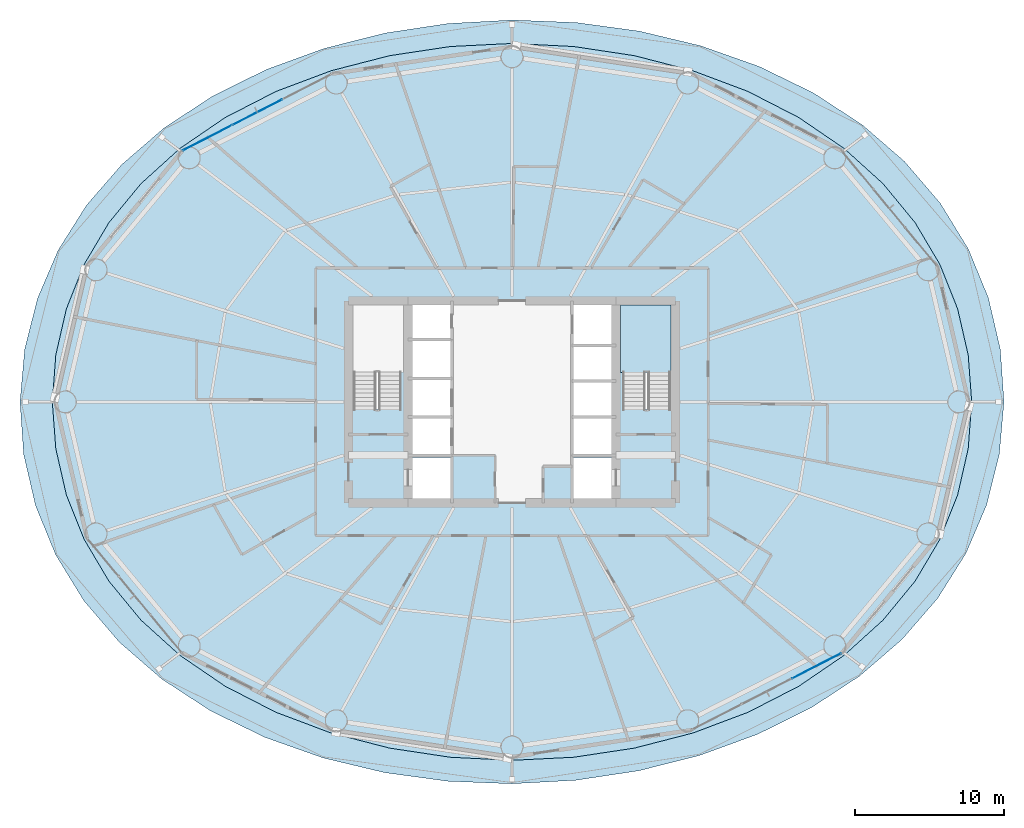
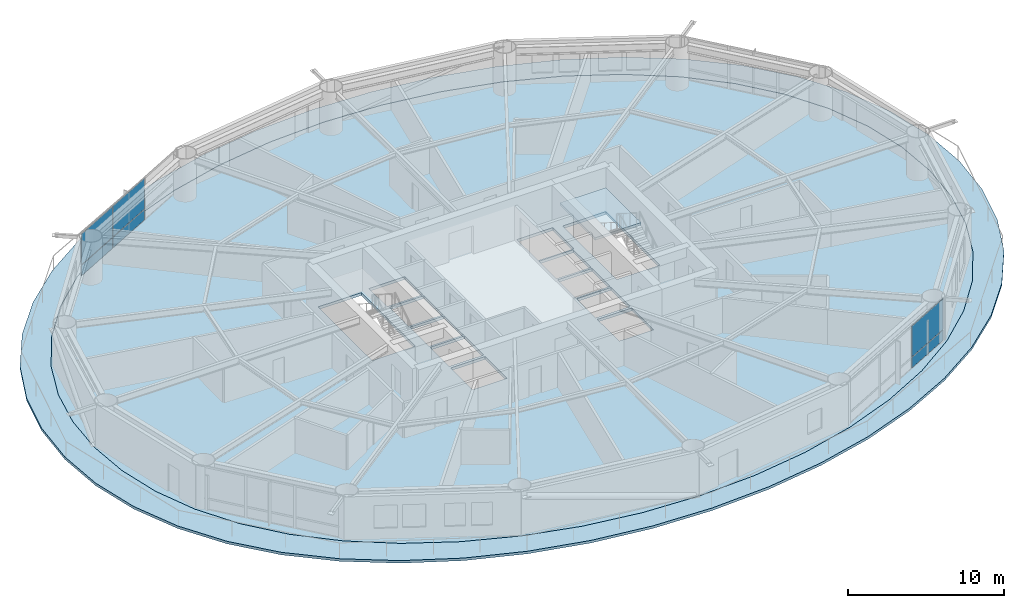
# One storey, part 17 of 26: 6 plates, 3 slabs, 3 elements without a shape of their own.
"""IFC4 building model written with IfcOpenShell, lengths in metres."""

from ifc_helpers import new_model, si_unit, direction, frame, origin, origin_2d, place, context, subcontext, project, spatial, polyline, rectangle, outline, extrude, material, layer, layer_set, type_object, element, aggregate, save


model = new_model("IFC4")

# Units and contexts
model_context = context("Model", 3, precision=1e-05, world=origin(), true_north=direction((0.0, 1.0)))
body_context = subcontext(model_context, "Body", "Model", "MODEL_VIEW")
ifc_project = project(units=[si_unit("LENGTHUNIT", "METRE"), si_unit("AREAUNIT", "SQUARE_METRE"), si_unit("VOLUMEUNIT", "CUBIC_METRE"), si_unit("PLANEANGLEUNIT", "RADIAN"), si_unit("MASSUNIT", "GRAM", prefix="KILO")], contexts=[model_context])

# Site, building, storey
site_placement = place(None, origin())
site = spatial("IfcSite", under=ifc_project, at=site_placement, CompositionType="ELEMENT")
building_placement = place(site_placement, origin())
building = spatial("IfcBuilding", under=site, at=building_placement, Name="Sarneth Arch Tower", CompositionType="ELEMENT")
storey_placement = place(building_placement, frame((0.0, 0.0, 71.39990234375)))
storey = spatial("IfcBuildingStorey", under=building, at=storey_placement, Name="L17", CompositionType="ELEMENT", Elevation=71.39990234375)

# Curtain wall, plates
ifc_material_1 = material(Name="Anodised aluminium Type AA25 and solar-control low-e laminated IGU", Category="aluminium")
ifc_layer_1 = layer(ifc_material_1, 0.159912109375)
ifc_layer_set_1 = layer_set([ifc_layer_1], Name="Anodised aluminium Type AA25 and solar-control low-e laminated IGU")
curtain_wall_type = type_object("IfcCurtainWallType", Name="CW-HOTEL-LOW", PredefinedType="NOTDEFINED", material=ifc_layer_set_1)
curtain_wall_1_placement = place(storey_placement, origin())
curtain_wall_1 = element("IfcCurtainWall", 1, at=curtain_wall_1_placement, inside=storey, type_object=curtain_wall_type, Name="L17 Unitised curtain wall facet 06", PredefinedType="NOTDEFINED")
ifc_material_2 = material(Name="Solar-control low-e laminated IGU", Category="glass")
ifc_layer_2 = layer(ifc_material_2, 0.028076171875)
ifc_layer_set_2 = layer_set([ifc_layer_2], Name="Solar-control low-e laminated IGU")
plate_type = type_object("IfcPlateType", Name="CW-PANEL", PredefinedType="CURTAIN_PANEL", material=ifc_layer_set_2)
plate_1_placement = place(storey_placement, frame((30.8740234375, 61.473876953125, 0.06005859375), z_axis=(0.0, 0.0, 1.0), x_axis=(-0.889854100456, -0.456245197127, 0.0)))
plate_1 = element("IfcPlate", 2, at=plate_1_placement, type_object=plate_type, Name="Curtain wall glazed vision pane CW-L17-F06/P01-00", PredefinedType="CURTAIN_PANEL", context=body_context, shape_type="SweptSolid", body=[
    extrude(rectangle(XDim=3.721923828125, YDim=0.028076171875, at=origin_2d()), origin(), (0.0, 0.0, 1.0), 0.81005859375),
])
plate_2_placement = place(storey_placement, frame((30.8740234375, 61.473876953125, 0.93017578125), z_axis=(0.0, 0.0, 1.0), x_axis=(-0.889854100456, -0.456245197127, 0.0)))
plate_2 = element("IfcPlate", 3, at=plate_2_placement, type_object=plate_type, Name="Curtain wall glazed vision pane CW-L17-F06/P01-01", PredefinedType="CURTAIN_PANEL", context=body_context, shape_type="SweptSolid", body=[
    extrude(rectangle(XDim=3.721923828125, YDim=0.028076171875, at=origin_2d()), origin(), (0.0, 0.0, 1.0), 2.389892578125),
])
plate_3_placement = place(storey_placement, frame((27.52197265625, 59.75537109375, 0.06005859375), z_axis=(0.0, 0.0, 1.0), x_axis=(-0.889854100456, -0.456245197127, 0.0)))
plate_3 = element("IfcPlate", 4, at=plate_3_placement, type_object=plate_type, Name="Curtain wall glazed vision pane CW-L17-F06/P02-00", PredefinedType="CURTAIN_PANEL", context=body_context, shape_type="SweptSolid", body=[
    extrude(rectangle(XDim=3.69189453125, YDim=0.028076171875, at=origin_2d()), origin(), (0.0, 0.0, 1.0), 0.81005859375),
])
plate_4_placement = place(storey_placement, frame((27.52197265625, 59.75537109375, 0.93017578125), z_axis=(0.0, 0.0, 1.0), x_axis=(-0.889854100456, -0.456245197127, 0.0)))
plate_4 = element("IfcPlate", 5, at=plate_4_placement, type_object=plate_type, Name="Curtain wall glazed vision pane CW-L17-F06/P02-01", PredefinedType="CURTAIN_PANEL", context=body_context, shape_type="SweptSolid", body=[
    extrude(rectangle(XDim=3.69189453125, YDim=0.028076171875, at=origin_2d()), origin(), (0.0, 0.0, 1.0), 2.389892578125),
])
aggregate(curtain_wall_1, [plate_1, plate_2, plate_3, plate_4])

curtain_wall_2_placement = place(storey_placement, origin())
curtain_wall_2 = element("IfcCurtainWall", 6, at=curtain_wall_2_placement, inside=storey, type_object=curtain_wall_type, Name="L17 Unitised curtain wall facet 14", PredefinedType="NOTDEFINED")
plate_5_placement = place(storey_placement, frame((68.47802734375, 24.24462890625, 0.06005859375), z_axis=(0.0, 0.0, 1.0), x_axis=(0.889854100456, 0.456245197127, 0.0)))
plate_5 = element("IfcPlate", 7, at=plate_5_placement, type_object=plate_type, Name="Curtain wall glazed vision pane CW-L17-F14/P02-00", PredefinedType="CURTAIN_PANEL", context=body_context, shape_type="SweptSolid", body=[
    extrude(rectangle(XDim=3.69189453125, YDim=0.028076171875, at=origin_2d()), origin(), (0.0, 0.0, 1.0), 0.81005859375),
])
plate_6_placement = place(storey_placement, frame((68.47802734375, 24.24462890625, 0.93017578125), z_axis=(0.0, 0.0, 1.0), x_axis=(0.889854100456, 0.456245197127, 0.0)))
plate_6 = element("IfcPlate", 8, at=plate_6_placement, type_object=plate_type, Name="Curtain wall glazed vision pane CW-L17-F14/P02-01", PredefinedType="CURTAIN_PANEL", context=body_context, shape_type="SweptSolid", body=[
    extrude(rectangle(XDim=3.69189453125, YDim=0.028076171875, at=origin_2d()), origin(), (0.0, 0.0, 1.0), 2.389892578125),
])
aggregate(curtain_wall_2, [plate_5, plate_6])

# Slab
ifc_material_3 = material(Name="Concrete C50/60", Category="concrete")
ifc_layer_3 = layer(ifc_material_3, 0.199951171875)
ifc_layer_set_3 = layer_set([ifc_layer_3], Name="Concrete C50/60")
slab_type_1 = type_object("IfcSlabType", Name="SLAB-BALC-200", PredefinedType="FLOOR", material=ifc_layer_set_3)
slab_1_placement = place(storey_placement, frame((0.0, 0.0, -0.199951171875)))
element("IfcSlab", 9, at=slab_1_placement, inside=storey, type_object=slab_type_1, Name="L17 Helical balcony band slab", PredefinedType="FLOOR", context=body_context, shape_type="SweptSolid", body=[
    extrude(outline(polyline([(81.08154296875, 42.0), (80.8369140625, 45.53173828125), (80.034423828125, 48.986572265625), (78.682373046875, 52.2841796875), (76.796630859375, 55.358642578125), (74.40185546875, 58.158935546875), (71.53564453125, 60.64501953125), (68.24951171875, 62.7861328125), (64.609130859375, 64.558349609375), (60.6884765625, 65.943359375), (56.564453125, 66.92919921875), (52.311767578125, 67.50830078125), (48.0, 67.677978515625), (43.695068359375, 67.440185546875), (39.4619140625, 66.799560546875), (35.367431640625, 65.76513671875), (31.482666015625, 64.348388671875), (27.87841796875, 62.565185546875), (24.62353515625, 60.433837890625), (21.776611328125, 57.97607421875), (19.384521484375, 55.218505859375), (17.48095703125, 52.19287109375), (16.08984375, 48.94140625), (15.23046875, 45.51953125), (14.91845703125, 42.0), (15.1630859375, 38.46826171875), (15.965576171875, 35.013427734375), (17.317626953125, 31.7158203125), (19.203369140625, 28.641357421875), (21.59814453125, 25.841064453125), (24.46435546875, 23.35498046875), (27.75048828125, 21.2138671875), (31.390869140625, 19.441650390625), (35.3115234375, 18.056640625), (39.435546875, 17.07080078125), (43.688232421875, 16.49169921875), (48.0, 16.322021484375), (52.304931640625, 16.559814453125), (56.5380859375, 17.200439453125), (60.632568359375, 18.23486328125), (64.517333984375, 19.651611328125), (68.12158203125, 21.434814453125), (71.37646484375, 23.566162109375), (74.223388671875, 26.02392578125), (76.615478515625, 28.781494140625), (78.51904296875, 31.80712890625), (79.91015625, 35.05859375), (80.76953125, 38.48046875), (81.08154296875, 42.0)]), holes=[polyline([(78.90966796875, 42.0), (78.675048828125, 45.145751953125), (77.9677734375, 48.237548828125), (76.780029296875, 51.22265625), (75.10595703125, 54.050048828125), (72.94873046875, 56.671142578125), (70.32861328125, 59.041259765625), (67.2841796875, 61.119873046875), (63.8720703125, 62.87109375), (60.162109375, 64.265380859375), (56.2294921875, 65.27880859375), (52.150634765625, 65.893798828125), (48.0, 66.10009765625), (43.849365234375, 65.893798828125), (39.7705078125, 65.27880859375), (35.837890625, 64.265380859375), (32.1279296875, 62.87109375), (28.7158203125, 61.119873046875), (25.67138671875, 59.041259765625), (23.05126953125, 56.671142578125), (20.89404296875, 54.050048828125), (19.219970703125, 51.22265625), (18.0322265625, 48.237548828125), (17.324951171875, 45.145751953125), (17.09033203125, 42.0), (17.324951171875, 38.854248046875), (18.0322265625, 35.762451171875), (19.219970703125, 32.77734375), (20.89404296875, 29.949951171875), (23.05126953125, 27.328857421875), (25.67138671875, 24.958740234375), (28.7158203125, 22.880126953125), (32.1279296875, 21.12890625), (35.837890625, 19.734619140625), (39.7705078125, 18.72119140625), (43.849365234375, 18.106201171875), (48.0, 17.89990234375), (52.150634765625, 18.106201171875), (56.2294921875, 18.72119140625), (60.162109375, 19.734619140625), (63.8720703125, 21.12890625), (67.2841796875, 22.880126953125), (70.32861328125, 24.958740234375), (72.94873046875, 27.328857421875), (75.10595703125, 29.949951171875), (76.780029296875, 32.77734375), (77.9677734375, 35.762451171875), (78.675048828125, 38.854248046875), (78.90966796875, 42.0)])]), origin(), (0.0, 0.0, 1.0), 0.199951171875),
])

# Stair, slab
ifc_material_4 = material(Name="Concrete C50/60", Category="concrete")
stair_type = type_object("IfcStairType", Name="STAIR-CORE-RC", PredefinedType="HALF_TURN_STAIR", material=ifc_material_4)
stair_placement = place(storey_placement, origin())
stair = element("IfcStair", 10, at=stair_placement, inside=storey, type_object=stair_type, Name="L17 Core Exit Stair 2", PredefinedType="HALF_TURN_STAIR")
ifc_material_5 = material(Name="Concrete C50/60", Category="concrete")
ifc_layer_4 = layer(ifc_material_5, 0.199951171875)
ifc_layer_set_4 = layer_set([ifc_layer_4], Name="Concrete C50/60")
slab_type_2 = type_object("IfcSlabType", Name="SLAB-LANDING-200", PredefinedType="LANDING", material=ifc_layer_set_4)
slab_2_placement = place(storey_placement, frame((0.0, 0.0, 1.60009765625)))
slab_2 = element("IfcSlab", 11, at=slab_2_placement, type_object=slab_type_2, Name="ST-2 landing 1", PredefinedType="LANDING", context=body_context, shape_type="SweptSolid", body=[
    extrude(outline(polyline([(55.300048828125, 43.985107421875), (58.699951171875, 43.985107421875), (58.699951171875, 48.5), (55.300048828125, 48.5), (55.300048828125, 43.985107421875)])), origin(), (0.0, 0.0, 1.0), 0.199951171875),
])
aggregate(stair, [slab_2])

# Slab
ifc_material_6 = material(Name="Concrete C50/60", Category="concrete")
ifc_layer_5 = layer(ifc_material_6, 0.219970703125)
ifc_layer_set_5 = layer_set([ifc_layer_5], Name="Concrete C50/60")
slab_type_3 = type_object("IfcSlabType", Name="SLAB-TOWER-220", PredefinedType="FLOOR", material=ifc_layer_set_5)
slab_3_placement = place(storey_placement, frame((0.0, 0.0, -0.219970703125)))
element("IfcSlab", 12, at=slab_3_placement, inside=storey, type_object=slab_type_3, Name="L17 Elliptical floor slab", PredefinedType="FLOOR", context=body_context, shape_type="SweptSolid", body=[
    extrude(outline(polyline([(78.90966796875, 42.0), (78.675048828125, 45.145751953125), (77.9677734375, 48.237548828125), (76.780029296875, 51.22265625), (75.10595703125, 54.050048828125), (72.94873046875, 56.671142578125), (70.32861328125, 59.041259765625), (67.2841796875, 61.119873046875), (63.8720703125, 62.87109375), (60.162109375, 64.265380859375), (56.2294921875, 65.27880859375), (52.150634765625, 65.893798828125), (48.0, 66.10009765625), (43.849365234375, 65.893798828125), (39.7705078125, 65.27880859375), (35.837890625, 64.265380859375), (32.1279296875, 62.87109375), (28.7158203125, 61.119873046875), (25.67138671875, 59.041259765625), (23.05126953125, 56.671142578125), (20.89404296875, 54.050048828125), (19.219970703125, 51.22265625), (18.0322265625, 48.237548828125), (17.324951171875, 45.145751953125), (17.09033203125, 42.0), (17.324951171875, 38.854248046875), (18.0322265625, 35.762451171875), (19.219970703125, 32.77734375), (20.89404296875, 29.949951171875), (23.05126953125, 27.328857421875), (25.67138671875, 24.958740234375), (28.7158203125, 22.880126953125), (32.1279296875, 21.12890625), (35.837890625, 19.734619140625), (39.7705078125, 18.72119140625), (43.849365234375, 18.106201171875), (48.0, 17.89990234375), (52.150634765625, 18.106201171875), (56.2294921875, 18.72119140625), (60.162109375, 19.734619140625), (63.8720703125, 21.12890625), (67.2841796875, 22.880126953125), (70.32861328125, 24.958740234375), (72.94873046875, 27.328857421875), (75.10595703125, 29.949951171875), (76.780029296875, 32.77734375), (77.9677734375, 35.762451171875), (78.675048828125, 38.854248046875), (78.90966796875, 42.0)]), holes=[polyline([(37.35009765625, 41.489990234375), (40.550048828125, 41.489990234375), (40.550048828125, 48.39990234375), (37.35009765625, 48.39990234375), (37.35009765625, 41.489990234375)]), polyline([(55.449951171875, 41.489990234375), (58.64990234375, 41.489990234375), (58.64990234375, 48.39990234375), (55.449951171875, 48.39990234375), (55.449951171875, 41.489990234375)]), polyline([(41.199951171875, 46.25), (43.85009765625, 46.25), (43.85009765625, 48.550048828125), (41.199951171875, 48.550048828125), (41.199951171875, 46.25)]), polyline([(41.300048828125, 35.449951171875), (43.85009765625, 35.449951171875), (43.85009765625, 38.25), (41.300048828125, 38.25), (41.300048828125, 35.449951171875)]), polyline([(52.14990234375, 35.449951171875), (54.699951171875, 35.449951171875), (54.699951171875, 38.25), (52.14990234375, 38.25), (52.14990234375, 35.449951171875)]), polyline([(52.14990234375, 45.85009765625), (54.800048828125, 45.85009765625), (54.800048828125, 48.550048828125), (52.14990234375, 48.550048828125), (52.14990234375, 45.85009765625)]), polyline([(41.300048828125, 38.449951171875), (43.85009765625, 38.449951171875), (43.85009765625, 40.89990234375), (41.300048828125, 40.89990234375), (41.300048828125, 38.449951171875)]), polyline([(41.300048828125, 41.050048828125), (43.85009765625, 41.050048828125), (43.85009765625, 43.5), (41.300048828125, 43.5), (41.300048828125, 41.050048828125)]), polyline([(41.300048828125, 43.64990234375), (43.85009765625, 43.64990234375), (43.85009765625, 46.10009765625), (41.300048828125, 46.10009765625), (41.300048828125, 43.64990234375)]), polyline([(52.14990234375, 38.449951171875), (54.699951171875, 38.449951171875), (54.699951171875, 40.89990234375), (52.14990234375, 40.89990234375), (52.14990234375, 38.449951171875)]), polyline([(52.14990234375, 41.050048828125), (54.699951171875, 41.050048828125), (54.699951171875, 43.35009765625), (52.14990234375, 43.35009765625), (52.14990234375, 41.050048828125)]), polyline([(52.14990234375, 43.5), (54.699951171875, 43.5), (54.699951171875, 45.75), (52.14990234375, 45.75), (52.14990234375, 43.5)])]), origin(), (0.0, 0.0, 1.0), 0.219970703125),
])

save(model, "model.ifc")
